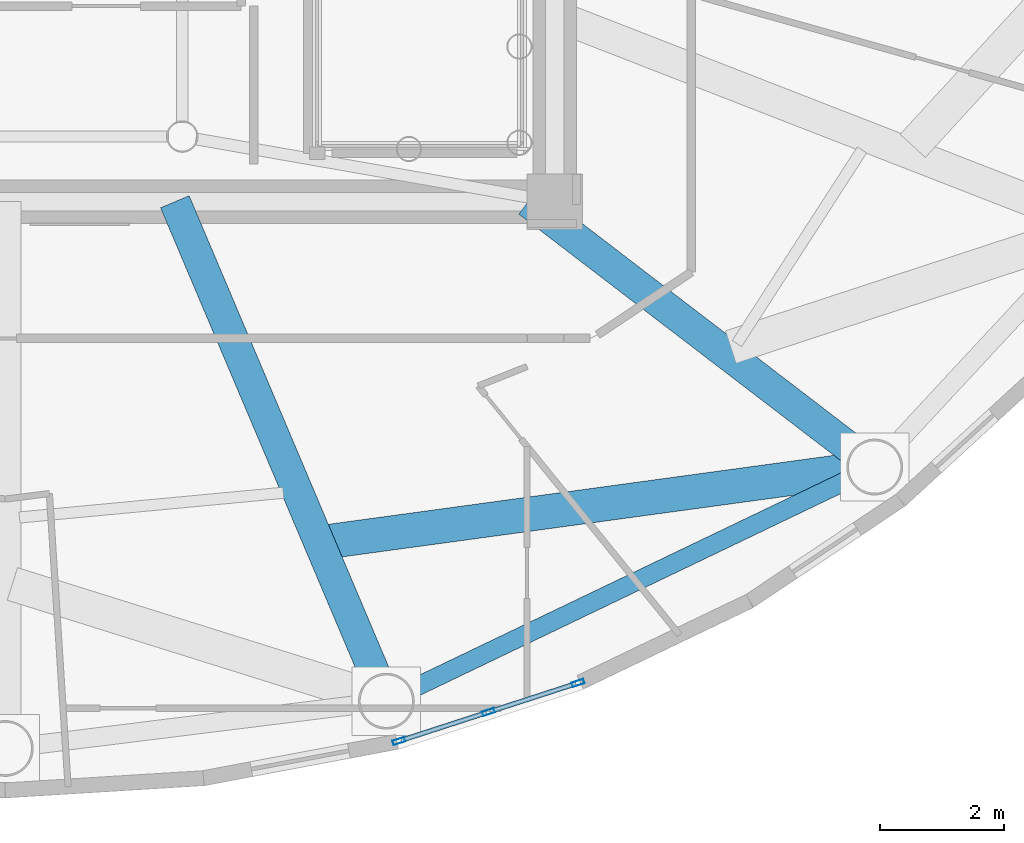
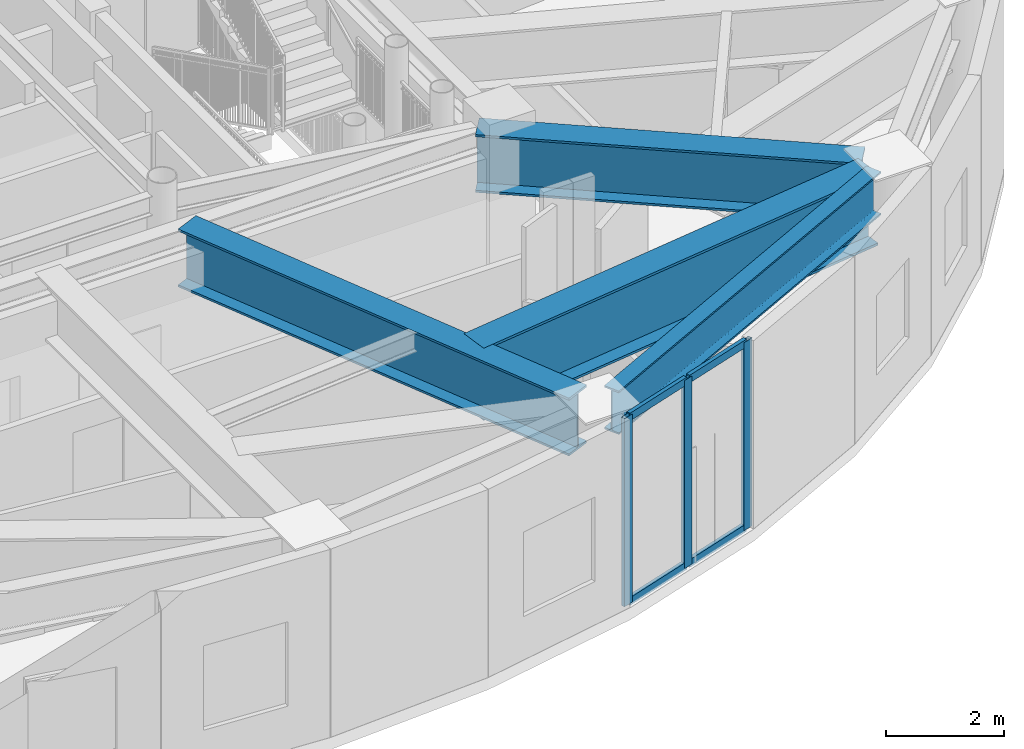
# One storey, part 6 of 23: 7 members, 4 beams, 1 element without a shape of its own.
"""IFC4 building model written with IfcOpenShell, lengths in metres."""

from ifc_helpers import new_model, si_unit, direction, frame, origin, origin_2d, place, context, subcontext, project, spatial, hollow_rectangle, i_section, extrude, source, transform, mapped, material, layer, layer_set, material_profile, profile_set, type_object, element, aggregate, save


model = new_model("IFC4")

# Units and contexts
model_context = context("Model", 3, precision=1e-05, world=origin(), true_north=direction((0.0, 1.0)))
body_context = subcontext(model_context, "Body", "Model", "MODEL_VIEW")
ifc_project = project(units=[si_unit("LENGTHUNIT", "METRE"), si_unit("AREAUNIT", "SQUARE_METRE"), si_unit("VOLUMEUNIT", "CUBIC_METRE"), si_unit("PLANEANGLEUNIT", "RADIAN"), si_unit("MASSUNIT", "GRAM", prefix="KILO")], contexts=[model_context])

# Site, building, storey
site_placement = place(None, origin())
site = spatial("IfcSite", under=ifc_project, at=site_placement, CompositionType="ELEMENT")
building_placement = place(site_placement, origin())
building = spatial("IfcBuilding", under=site, at=building_placement, Name="Linh Dai School and Residence Tower", CompositionType="ELEMENT")
storey_placement = place(building_placement, frame((0.0, 0.0, 359.39990234375)))
storey = spatial("IfcBuildingStorey", under=building, at=storey_placement, Name="L89", CompositionType="ELEMENT", Elevation=359.39990234375)

# Beams
ifc_material_1 = material(Name="Structural Steel S355JR", Category="steel")
ifc_material_profile_1 = material_profile(ifc_material_1, i_section(OverallWidth=0.300048828125, OverallDepth=0.89990234375, WebThickness=0.0185546875, FlangeThickness=0.034912109375, FilletRadius=0.030029296875, at=origin_2d()), Name="HEB 900")
ifc_profile_set_1 = profile_set([ifc_material_profile_1], Name="Structural Steel S355JR")
beam_type_1 = type_object("IfcBeamType", Name="BM-RG9", PredefinedType="BEAM", material=ifc_profile_set_1)
beam_1_placement = place(storey_placement, frame((42.516357421875, 12.687744140625, 3.4501953125), z_axis=(0.901701330417, 0.432359469335, 0.0), x_axis=(-0.432359469335, 0.901701330417, 0.0)))
element("IfcBeam", 1, at=beam_1_placement, inside=storey, type_object=beam_type_1, Name="L89 Perimeter Elliptical Ring Beam 14", PredefinedType="BEAM", context=body_context, shape_type="SweptSolid", body=[
    extrude(i_section(OverallWidth=0.300048828125, OverallDepth=0.89990234375, WebThickness=0.0185546875, FlangeThickness=0.034912109375, FilletRadius=0.030029296875, at=origin_2d()), origin(), (0.0, 0.0, 1.0), 7.88232421875),
])
ifc_material_profile_2 = material_profile(ifc_material_1, i_section(OverallWidth=0.5, OverallDepth=1.199951171875, WebThickness=0.02392578125, FlangeThickness=0.044921875, at=origin_2d()), Name="PG 1200x500x24x45")
ifc_profile_set_2 = profile_set([ifc_material_profile_2], Name="Structural Steel S355JR")
beam_type_2 = type_object("IfcBeamType", Name="BM-TG12", PredefinedType="BEAM", material=ifc_profile_set_2)
beam_2_placement = place(storey_placement, frame((38.731201171875, 20.550048828125, 3.300048828125), z_axis=(0.389954119501, -0.920834287309, 0.0), x_axis=(0.920834287309, 0.389954119501, 0.0)))
element("IfcBeam", 2, at=beam_2_placement, inside=storey, type_object=beam_type_2, Name="L89 Radial Setback Transfer Girder 14", PredefinedType="BEAM", context=body_context, shape_type="SweptSolid", body=[
    extrude(i_section(OverallWidth=0.5, OverallDepth=1.199951171875, WebThickness=0.02392578125, FlangeThickness=0.044921875, at=origin_2d()), origin(), (0.0, 0.0, 1.0), 8.3154296875),
])
beam_3_placement = place(storey_placement, frame((44.4228515625, 20.550048828125, 3.300048828125), z_axis=(0.793929753809, -0.608009495006, 0.0), x_axis=(0.608009495006, 0.793929753809, 0.0)))
element("IfcBeam", 3, at=beam_3_placement, inside=storey, type_object=beam_type_2, Name="L89 Radial Setback Transfer Girder 15", PredefinedType="BEAM", context=body_context, shape_type="SweptSolid", body=[
    extrude(i_section(OverallWidth=0.5, OverallDepth=1.199951171875, WebThickness=0.02392578125, FlangeThickness=0.044921875, at=origin_2d()), origin(), (0.0, 0.0, 1.0), 6.607666015625),
])
ifc_material_profile_3 = material_profile(ifc_material_1, i_section(OverallWidth=0.550048828125, OverallDepth=1.5, WebThickness=0.028076171875, FlangeThickness=0.050048828125, at=origin_2d()), Name="PG 1500x550x28x50")
ifc_profile_set_3 = profile_set([ifc_material_profile_3], Name="Structural Steel S355JR")
beam_type_3 = type_object("IfcBeamType", Name="BM-TG15", PredefinedType="BEAM", material=ifc_profile_set_3)
beam_4_placement = place(storey_placement, frame((41.192138671875, 15.07568359375, 3.150146484375), z_axis=(0.990828063551, 0.135128636786, 0.0), x_axis=(-0.135128636786, 0.990828063551, 0.0)))
element("IfcBeam", 4, at=beam_4_placement, inside=storey, type_object=beam_type_3, Name="L89 Setback Diaphragm Transfer Girder 14", PredefinedType="BEAM", context=body_context, shape_type="SweptSolid", body=[
    extrude(i_section(OverallWidth=0.550048828125, OverallDepth=1.5, WebThickness=0.028076171875, FlangeThickness=0.050048828125, at=origin_2d()), origin(), (0.0, 0.0, 1.0), 8.4716796875),
])

# Curtain wall, members
ifc_material_2 = material(Name="Aluminium Anodised Curtain Wall", Category="aluminium")
ifc_layer = layer(ifc_material_2, 0.199951171875)
ifc_layer_set = layer_set([ifc_layer], Name="Aluminium Anodised Curtain Wall")
curtain_wall_type = type_object("IfcCurtainWallType", Name="CW-SYS-6", PredefinedType="USERDEFINED", material=ifc_layer_set)
curtain_wall_placement = place(storey_placement, origin())
curtain_wall = element("IfcCurtainWall", 5, at=curtain_wall_placement, inside=storey, type_object=curtain_wall_type, Name="L89 CW6 Curtain Wall 33", ObjectType="UNITISED CURTAIN WALL", PredefinedType="USERDEFINED")
ifc_material_3 = material(Name="Aluminium Alloy 6063-T6", Category="aluminium")
ifc_material_profile_4 = material_profile(ifc_material_3, hollow_rectangle(XDim=0.074951171875, YDim=0.159912109375, WallThickness=0.00390625, at=origin_2d()), Name="RHS 160x75x4")
ifc_profile_set_4 = profile_set([ifc_material_profile_4], Name="Aluminium Alloy 6063-T6")
member_type_1 = type_object("IfcMemberType", Name="CW-SYS-6-TRN", PredefinedType="USERDEFINED", material=ifc_profile_set_4)
shared_shape_1 = source(origin(), body_context, "Body", "SweptSolid", [
    extrude(hollow_rectangle(XDim=0.074951171875, YDim=0.159912109375, WallThickness=0.00390625, at=origin_2d()), origin(), (0.0, 0.0, 1.0), 1.441650390625),
])
member_1_placement = place(storey_placement, frame((45.189208984375, 12.787841796875, 0.03759765625), z_axis=(-0.951209386872, -0.308546110536, 0.0), x_axis=(0.308546110536, -0.951209386872, 0.0)))
member_1 = element("IfcMember", 6, at=member_1_placement, type_object=member_type_1, Name="CW6 transom 1.1", ObjectType="TRANSOM", PredefinedType="USERDEFINED", context=body_context, shape_type="MappedRepresentation", body=[
    mapped(shared_shape_1, transform((0.0, 0.0, 0.0), x_axis=(1.0, 0.0, 0.0), y_axis=(0.0, 1.0, 0.0), z_axis=(0.0, 0.0, 1.0), scale=1.0)),
])
member_2_placement = place(storey_placement, frame((45.189208984375, 12.787841796875, 3.862548828125), z_axis=(-0.951209386872, -0.308546110536, 0.0), x_axis=(0.308546110536, -0.951209386872, 0.0)))
member_2 = element("IfcMember", 7, at=member_2_placement, type_object=member_type_1, Name="CW6 transom 1.2", ObjectType="TRANSOM", PredefinedType="USERDEFINED", context=body_context, shape_type="MappedRepresentation", body=[
    mapped(shared_shape_1, transform((0.0, 0.0, 0.0), x_axis=(1.0, 0.0, 0.0), y_axis=(0.0, 1.0, 0.0), z_axis=(0.0, 0.0, 1.0), scale=1.0)),
])
member_3_placement = place(storey_placement, frame((43.74658203125, 12.31982421875, 0.03759765625), z_axis=(-0.951209386872, -0.308546110536, 0.0), x_axis=(0.308546110536, -0.951209386872, 0.0)))
member_3 = element("IfcMember", 8, at=member_3_placement, type_object=member_type_1, Name="CW6 transom 2.1", ObjectType="TRANSOM", PredefinedType="USERDEFINED", context=body_context, shape_type="MappedRepresentation", body=[
    mapped(shared_shape_1, transform((0.0, 0.0, 0.0), x_axis=(1.0, 0.0, 0.0), y_axis=(0.0, 1.0, 0.0), z_axis=(0.0, 0.0, 1.0), scale=1.0)),
])
member_4_placement = place(storey_placement, frame((43.74658203125, 12.31982421875, 3.862548828125), z_axis=(-0.951209386872, -0.308546110536, 0.0), x_axis=(0.308546110536, -0.951209386872, 0.0)))
member_4 = element("IfcMember", 9, at=member_4_placement, type_object=member_type_1, Name="CW6 transom 2.2", ObjectType="TRANSOM", PredefinedType="USERDEFINED", context=body_context, shape_type="MappedRepresentation", body=[
    mapped(shared_shape_1, transform((0.0, 0.0, 0.0), x_axis=(1.0, 0.0, 0.0), y_axis=(0.0, 1.0, 0.0), z_axis=(0.0, 0.0, 1.0), scale=1.0)),
])
ifc_material_profile_5 = material_profile(ifc_material_3, hollow_rectangle(XDim=0.074951171875, YDim=0.199951171875, WallThickness=0.00390625, at=origin_2d()), Name="RHS 200x75x4")
ifc_profile_set_5 = profile_set([ifc_material_profile_5], Name="Aluminium Alloy 6063-T6")
member_type_2 = type_object("IfcMemberType", Name="CW-SYS-6-MUL", PredefinedType="MULLION", material=ifc_profile_set_5)
shared_shape_2 = source(origin(), body_context, "Body", "SweptSolid", [
    extrude(hollow_rectangle(XDim=0.074951171875, YDim=0.199951171875, WallThickness=0.00390625, at=origin_2d()), origin(), (0.0, 0.0, 1.0), 3.900146484375),
])
member_5_placement = place(storey_placement, frame((45.224853515625, 12.79931640625, 0.0), z_axis=(0.0, 0.0, 1.0), x_axis=(0.30856528097, -0.951203168298, 0.0)))
member_5 = element("IfcMember", 10, at=member_5_placement, type_object=member_type_2, Name="CW6 mullion 1", PredefinedType="MULLION", context=body_context, shape_type="MappedRepresentation", body=[
    mapped(shared_shape_2, transform((0.0, 0.0, 0.0), x_axis=(1.0, 0.0, 0.0), y_axis=(0.0, 1.0, 0.0), z_axis=(0.0, 0.0, 1.0), scale=1.0)),
])
member_6_placement = place(storey_placement, frame((43.7822265625, 12.33154296875, 0.0), z_axis=(0.0, 0.0, 1.0), x_axis=(0.30856528097, -0.951203168298, 0.0)))
member_6 = element("IfcMember", 11, at=member_6_placement, type_object=member_type_2, Name="CW6 mullion 2", PredefinedType="MULLION", context=body_context, shape_type="MappedRepresentation", body=[
    mapped(shared_shape_2, transform((0.0, 0.0, 0.0), x_axis=(1.0, 0.0, 0.0), y_axis=(0.0, 1.0, 0.0), z_axis=(0.0, 0.0, 1.0), scale=1.0)),
])
member_7_placement = place(storey_placement, frame((42.339599609375, 11.863525390625, 0.0), z_axis=(0.0, 0.0, 1.0), x_axis=(0.30856528097, -0.951203168298, 0.0)))
member_7 = element("IfcMember", 12, at=member_7_placement, type_object=member_type_2, Name="CW6 mullion 3", PredefinedType="MULLION", context=body_context, shape_type="MappedRepresentation", body=[
    mapped(shared_shape_2, transform((0.0, 0.0, 0.0), x_axis=(1.0, 0.0, 0.0), y_axis=(0.0, 1.0, 0.0), z_axis=(0.0, 0.0, 1.0), scale=1.0)),
])
aggregate(curtain_wall, [member_5, member_6, member_7, member_1, member_2, member_3, member_4])

save(model, "model.ifc")
